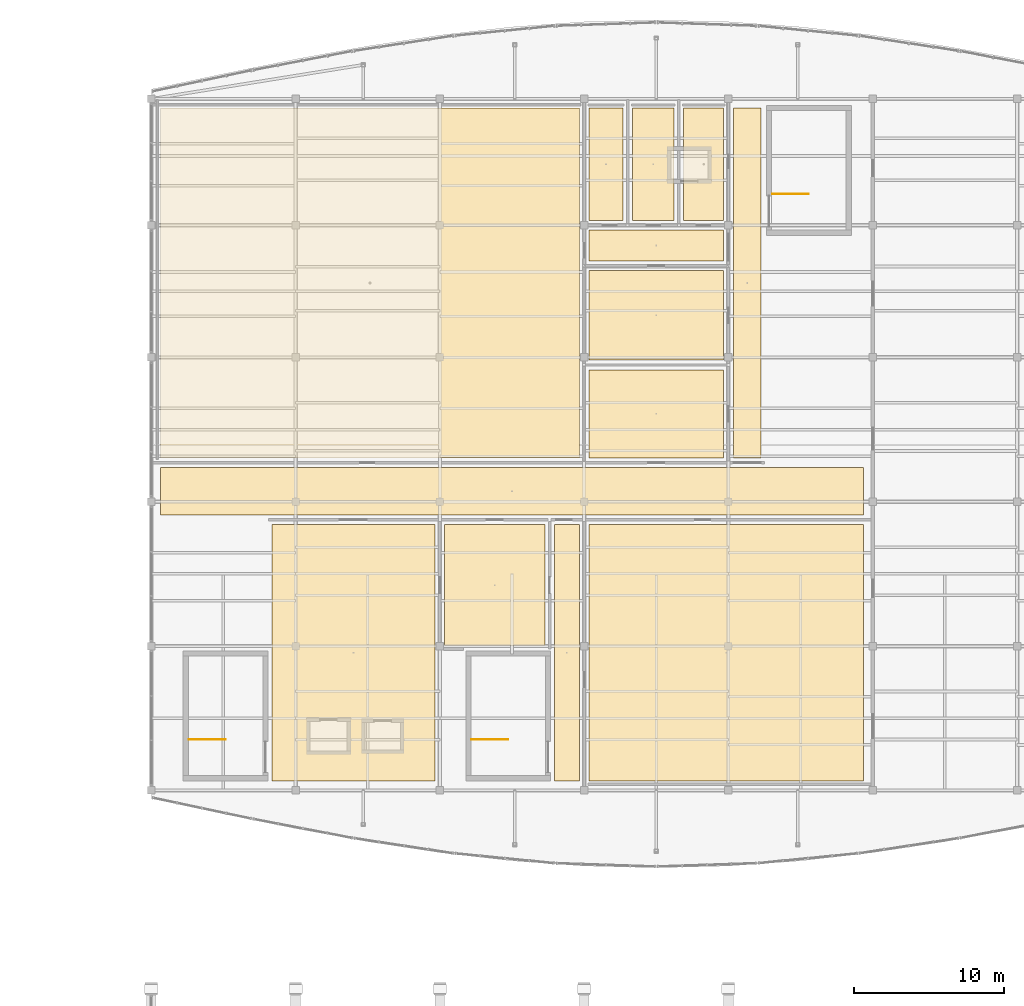
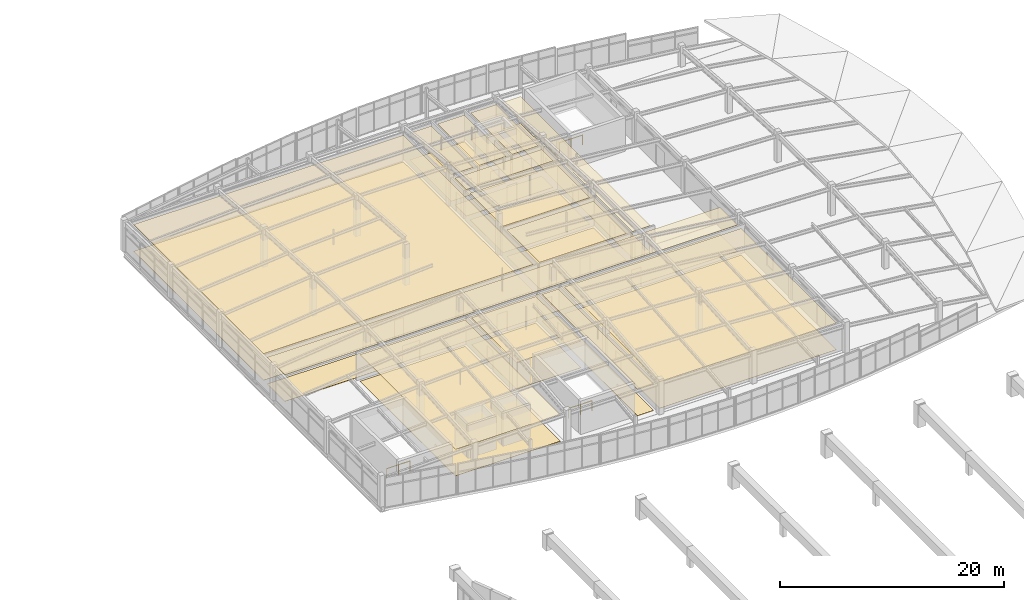
# One storey, part 65 of 65: 26 coverings, 3 railings.
"""IFC4 building model written with IfcOpenShell, lengths in metres."""

from ifc_helpers import new_model, si_unit, direction, frame, origin, origin_2d, place, context, subcontext, project, spatial, polyline, circle, outline, extrude, material, layer, layer_set, type_object, element, save


model = new_model("IFC4")

# Units and contexts
model_context = context("Model", 3, precision=1e-05, world=origin(), true_north=direction((0.0, 1.0)))
body_context = subcontext(model_context, "Body", "Model", "MODEL_VIEW")
ifc_project = project(units=[si_unit("LENGTHUNIT", "METRE"), si_unit("AREAUNIT", "SQUARE_METRE"), si_unit("VOLUMEUNIT", "CUBIC_METRE"), si_unit("PLANEANGLEUNIT", "RADIAN"), si_unit("MASSUNIT", "GRAM", prefix="KILO")], contexts=[model_context])

# Site, building, storey
site_placement = place(None, origin())
site = spatial("IfcSite", under=ifc_project, at=site_placement, CompositionType="ELEMENT")
building_placement = place(site_placement, origin())
building = spatial("IfcBuilding", under=site, at=building_placement, Name="Chalmorin Arch Market", CompositionType="ELEMENT")
storey_placement = place(building_placement, frame((0.0, 0.0, 14.10009765625)))
storey = spatial("IfcBuildingStorey", under=building, at=storey_placement, Name="L03", CompositionType="ELEMENT", Elevation=14.10009765625)

# Coverings
ifc_material_1 = material(Name="Mineral Fibre Acoustic Tile")
ifc_layer_1 = layer(ifc_material_1, 0.044921875)
ifc_layer_set_1 = layer_set([ifc_layer_1], Name="Mineral Fibre Acoustic Tile")
covering_type_1 = type_object("IfcCoveringType", Name="AcousticBaffleCeiling-45", PredefinedType="CEILING", material=ifc_layer_set_1)
covering_1_placement = place(storey_placement, frame((0.0, 0.0, 2.885009765625)))
element("IfcCovering", 1, at=covering_1_placement, inside=storey, type_object=covering_type_1, Name="CLG-01-251", PredefinedType="CEILING", context=body_context, shape_type="SweptSolid", body=[
    extrude(outline(polyline([(56.02001953125, 72.6201171875), (66.8798828125, 72.6201171875), (66.8798828125, 89.679931640625), (56.02001953125, 89.679931640625), (56.02001953125, 72.6201171875)])), origin(), (0.0, 0.0, 1.0), 0.044921875),
])
covering_2_placement = place(storey_placement, frame((0.0, 0.0, 2.885009765625)))
element("IfcCovering", 2, at=covering_2_placement, inside=storey, type_object=covering_type_1, Name="CLG-01-253", PredefinedType="CEILING", context=body_context, shape_type="SweptSolid", body=[
    extrude(outline(polyline([(74.820068359375, 72.6201171875), (76.47998046875, 72.6201171875), (76.47998046875, 89.679931640625), (74.820068359375, 89.679931640625), (74.820068359375, 72.6201171875)])), origin(), (0.0, 0.0, 1.0), 0.044921875),
])
covering_3_placement = place(storey_placement, frame((0.0, 0.0, 2.885009765625)))
element("IfcCovering", 3, at=covering_3_placement, inside=storey, type_object=covering_type_1, Name="CLG-01-257", PredefinedType="CEILING", context=body_context, shape_type="SweptSolid", body=[
    extrude(outline(polyline([(77.1201171875, 72.6201171875), (95.3798828125, 72.6201171875), (95.3798828125, 89.679931640625), (77.1201171875, 89.679931640625), (77.1201171875, 72.6201171875)])), origin(), (0.0, 0.0, 1.0), 0.044921875),
])
covering_4_placement = place(storey_placement, frame((0.0, 0.0, 2.885009765625)))
element("IfcCovering", 4, at=covering_4_placement, inside=storey, type_object=covering_type_1, Name="CLG-01-259", PredefinedType="CEILING", context=body_context, shape_type="SweptSolid", body=[
    extrude(outline(polyline([(48.6201171875, 90.320068359375), (95.3798828125, 90.320068359375), (95.3798828125, 93.47998046875), (48.6201171875, 93.47998046875), (48.6201171875, 90.320068359375)])), origin(), (0.0, 0.0, 1.0), 0.044921875),
])
covering_5_placement = place(storey_placement, frame((0.0, 0.0, 2.885009765625)))
element("IfcCovering", 5, at=covering_5_placement, inside=storey, type_object=covering_type_1, Name="CLG-01-261", PredefinedType="CEILING", context=body_context, shape_type="SweptSolid", body=[
    extrude(outline(polyline([(86.719970703125, 94.1201171875), (88.580078125, 94.1201171875), (88.580078125, 117.3798828125), (86.719970703125, 117.3798828125), (86.719970703125, 94.1201171875)])), origin(), (0.0, 0.0, 1.0), 0.044921875),
])
covering_6_placement = place(storey_placement, frame((0.0, 0.0, 2.885009765625)))
element("IfcCovering", 6, at=covering_6_placement, inside=storey, type_object=covering_type_1, Name="CLG-01-263", PredefinedType="CEILING", context=body_context, shape_type="SweptSolid", body=[
    extrude(outline(polyline([(48.6201171875, 94.1201171875), (76.47998046875, 94.1201171875), (76.47998046875, 117.3798828125), (48.6201171875, 117.3798828125), (48.6201171875, 94.1201171875)])), origin(), (0.0, 0.0, 1.0), 0.044921875),
])
covering_7_placement = place(storey_placement, frame((0.0, 0.0, 2.885009765625)))
element("IfcCovering", 7, at=covering_7_placement, inside=storey, type_object=covering_type_1, Name="CLG-01-265", PredefinedType="CEILING", context=body_context, shape_type="SweptSolid", body=[
    extrude(outline(polyline([(77.1201171875, 100.6201171875), (86.080078125, 100.6201171875), (86.080078125, 106.580078125), (77.1201171875, 106.580078125), (77.1201171875, 100.6201171875)])), origin(), (0.0, 0.0, 1.0), 0.044921875),
])
covering_8_placement = place(storey_placement, frame((0.0, 0.0, 2.885009765625)))
element("IfcCovering", 8, at=covering_8_placement, inside=storey, type_object=covering_type_1, Name="CLG-01-267", PredefinedType="CEILING", context=body_context, shape_type="SweptSolid", body=[
    extrude(outline(polyline([(77.1201171875, 107.219970703125), (86.080078125, 107.219970703125), (86.080078125, 109.280029296875), (77.1201171875, 109.280029296875), (77.1201171875, 107.219970703125)])), origin(), (0.0, 0.0, 1.0), 0.044921875),
])
covering_9_placement = place(storey_placement, frame((0.0, 0.0, 2.885009765625)))
element("IfcCovering", 9, at=covering_9_placement, inside=storey, type_object=covering_type_1, Name="CLG-01-275", PredefinedType="CEILING", context=body_context, shape_type="SweptSolid", body=[
    extrude(outline(polyline([(77.1201171875, 94.1201171875), (86.080078125, 94.1201171875), (86.080078125, 99.97998046875), (77.1201171875, 99.97998046875), (77.1201171875, 94.1201171875)])), origin(), (0.0, 0.0, 1.0), 0.044921875),
])
ifc_material_2 = material(Name="Powder-coated Aluminium Panel", Category="aluminium")
ifc_layer_2 = layer(ifc_material_2, 0.034912109375)
ifc_layer_set_2 = layer_set([ifc_layer_2], Name="Powder-coated Aluminium Panel")
covering_type_2 = type_object("IfcCoveringType", Name="HygienicWashableKitchenCeiling-35", PredefinedType="CEILING", material=ifc_layer_set_2)
covering_10_placement = place(storey_placement, frame((0.0, 0.0, 2.89501953125)))
element("IfcCovering", 10, at=covering_10_placement, inside=storey, type_object=covering_type_2, Name="CLG-02-255", PredefinedType="CEILING", context=body_context, shape_type="SweptSolid", body=[
    extrude(outline(polyline([(67.52001953125, 81.6201171875), (74.179931640625, 81.6201171875), (74.179931640625, 89.679931640625), (67.52001953125, 89.679931640625), (67.52001953125, 81.6201171875)])), origin(), (0.0, 0.0, 1.0), 0.034912109375),
])
ifc_material_3 = material(Name="Gypsum Board Partition")
ifc_layer_3 = layer(ifc_material_3, 0.030029296875)
ifc_layer_set_3 = layer_set([ifc_layer_3], Name="Gypsum Board Partition")
covering_type_3 = type_object("IfcCoveringType", Name="MoistureResistantGypsumCeiling-30", PredefinedType="CEILING", material=ifc_layer_set_3)
covering_11_placement = place(storey_placement, frame((0.0, 0.0, 2.89990234375)))
element("IfcCovering", 11, at=covering_11_placement, inside=storey, type_object=covering_type_3, Name="CLG-03-269", PredefinedType="CEILING", context=body_context, shape_type="SweptSolid", body=[
    extrude(outline(polyline([(77.1201171875, 109.919921875), (79.3798828125, 109.919921875), (79.3798828125, 117.3798828125), (77.1201171875, 117.3798828125), (77.1201171875, 109.919921875)])), origin(), (0.0, 0.0, 1.0), 0.030029296875),
])
covering_12_placement = place(storey_placement, frame((0.0, 0.0, 2.89990234375)))
element("IfcCovering", 12, at=covering_12_placement, inside=storey, type_object=covering_type_3, Name="CLG-03-271", PredefinedType="CEILING", context=body_context, shape_type="SweptSolid", body=[
    extrude(outline(polyline([(80.02001953125, 109.919921875), (82.780029296875, 109.919921875), (82.780029296875, 117.3798828125), (80.02001953125, 117.3798828125), (80.02001953125, 109.919921875)])), origin(), (0.0, 0.0, 1.0), 0.030029296875),
])
covering_13_placement = place(storey_placement, frame((0.0, 0.0, 2.89990234375)))
element("IfcCovering", 13, at=covering_13_placement, inside=storey, type_object=covering_type_3, Name="CLG-03-273", PredefinedType="CEILING", context=body_context, shape_type="SweptSolid", body=[
    extrude(outline(polyline([(83.419921875, 109.919921875), (86.080078125, 109.919921875), (86.080078125, 117.3798828125), (83.419921875, 117.3798828125), (83.419921875, 109.919921875)])), origin(), (0.0, 0.0, 1.0), 0.030029296875),
])
ifc_material_4 = material(Name="Ceramic Porcelain Tile")
ifc_layer_4 = layer(ifc_material_4, 0.01806640625)
ifc_layer_set_4 = layer_set([ifc_layer_4], Name="Ceramic Porcelain Tile")
covering_type_4 = type_object("IfcCoveringType", Name="PorcelainRestroomTileFloor-18", PredefinedType="FLOORING", material=ifc_layer_set_4)
covering_14_placement = place(storey_placement, origin())
element("IfcCovering", 14, at=covering_14_placement, inside=storey, type_object=covering_type_4, Name="FLR-03-268", PredefinedType="FLOORING", context=body_context, shape_type="SweptSolid", body=[
    extrude(outline(polyline([(77.1201171875, 109.919921875), (79.3798828125, 109.919921875), (79.3798828125, 117.3798828125), (77.1201171875, 117.3798828125), (77.1201171875, 109.919921875)])), origin(), (0.0, 0.0, 1.0), 0.017822265625),
])
covering_15_placement = place(storey_placement, origin())
element("IfcCovering", 15, at=covering_15_placement, inside=storey, type_object=covering_type_4, Name="FLR-03-270", PredefinedType="FLOORING", context=body_context, shape_type="SweptSolid", body=[
    extrude(outline(polyline([(80.02001953125, 109.919921875), (82.780029296875, 109.919921875), (82.780029296875, 117.3798828125), (80.02001953125, 117.3798828125), (80.02001953125, 109.919921875)])), origin(), (0.0, 0.0, 1.0), 0.017822265625),
])
covering_16_placement = place(storey_placement, origin())
element("IfcCovering", 16, at=covering_16_placement, inside=storey, type_object=covering_type_4, Name="FLR-03-272", PredefinedType="FLOORING", context=body_context, shape_type="SweptSolid", body=[
    extrude(outline(polyline([(83.419921875, 109.919921875), (86.080078125, 109.919921875), (86.080078125, 117.3798828125), (83.419921875, 117.3798828125), (83.419921875, 109.919921875)])), origin(), (0.0, 0.0, 1.0), 0.017822265625),
])

# Railings
ifc_material_5 = material(Name="Galvanised Steel", Category="steel")
ifc_layer_5 = layer(ifc_material_5, 0.054931640625)
ifc_layer_set_5 = layer_set([ifc_layer_5], Name="Galvanised Steel")
railing_type = type_object("IfcRailingType", Name="StairWellGuardrail-1100", PredefinedType="GUARDRAIL", material=ifc_layer_set_5)
for number, where, name in (
    (17, (50.52001953125, 75.3798828125, 0.0), "SG-01-045"),
    (18, (89.320068359375, 111.679931640625, 0.0), "SG-01-062"),
    (19, (69.320068359375, 75.3798828125, 0.0), "SG-01-079"),
):
    element("IfcRailing", number, at=place(storey_placement, frame(where)), inside=storey, type_object=railing_type, Name=name, PredefinedType="GUARDRAIL", context=body_context, shape_type="SweptSolid", body=[
        extrude(circle(Radius=0.02392578125, at=origin_2d()), frame((0.0, 0.0, 1.076171875), z_axis=(1.0, 0.0, 0.0), x_axis=(0.0, 1.0, 0.0)), (0.0, 0.0, 1.0), 2.39990234375),
        extrude(circle(Radius=0.02099609375, at=origin_2d()), origin(), (0.0, 0.0, 1.0), 1.052001953125),
        extrude(circle(Radius=0.02099609375, at=origin_2d()), frame((1.199951171875, 0.0, 0.0)), (0.0, 0.0, 1.0), 1.052001953125),
        extrude(circle(Radius=0.02099609375, at=origin_2d()), frame((2.39990234375, 0.0, 0.0)), (0.0, 0.0, 1.0), 1.052001953125),
    ])

# Coverings
ifc_material_6 = material(Name="Polished Terrazzo")
ifc_layer_6 = layer(ifc_material_6, 0.02490234375)
ifc_layer_set_6 = layer_set([ifc_layer_6], Name="Polished Terrazzo")
covering_type_5 = type_object("IfcCoveringType", Name="TerrazzoMarketFloorFinish-25", PredefinedType="FLOORING", material=ifc_layer_set_6)
covering_17_placement = place(storey_placement, origin())
element("IfcCovering", 20, at=covering_17_placement, inside=storey, type_object=covering_type_5, Name="FLR-01-250", PredefinedType="FLOORING", context=body_context, shape_type="SweptSolid", body=[
    extrude(outline(polyline([(56.02001953125, 72.6201171875), (66.8798828125, 72.6201171875), (66.8798828125, 89.679931640625), (56.02001953125, 89.679931640625), (56.02001953125, 72.6201171875)])), origin(), (0.0, 0.0, 1.0), 0.02490234375),
])
covering_18_placement = place(storey_placement, origin())
element("IfcCovering", 21, at=covering_18_placement, inside=storey, type_object=covering_type_5, Name="FLR-01-252", PredefinedType="FLOORING", context=body_context, shape_type="SweptSolid", body=[
    extrude(outline(polyline([(74.820068359375, 72.6201171875), (76.47998046875, 72.6201171875), (76.47998046875, 89.679931640625), (74.820068359375, 89.679931640625), (74.820068359375, 72.6201171875)])), origin(), (0.0, 0.0, 1.0), 0.02490234375),
])
covering_19_placement = place(storey_placement, origin())
element("IfcCovering", 22, at=covering_19_placement, inside=storey, type_object=covering_type_5, Name="FLR-01-254", PredefinedType="FLOORING", context=body_context, shape_type="SweptSolid", body=[
    extrude(outline(polyline([(67.52001953125, 81.6201171875), (74.179931640625, 81.6201171875), (74.179931640625, 89.679931640625), (67.52001953125, 89.679931640625), (67.52001953125, 81.6201171875)])), origin(), (0.0, 0.0, 1.0), 0.02490234375),
])
covering_20_placement = place(storey_placement, origin())
element("IfcCovering", 23, at=covering_20_placement, inside=storey, type_object=covering_type_5, Name="FLR-01-256", PredefinedType="FLOORING", context=body_context, shape_type="SweptSolid", body=[
    extrude(outline(polyline([(77.1201171875, 72.6201171875), (95.3798828125, 72.6201171875), (95.3798828125, 89.679931640625), (77.1201171875, 89.679931640625), (77.1201171875, 72.6201171875)])), origin(), (0.0, 0.0, 1.0), 0.02490234375),
])
covering_21_placement = place(storey_placement, origin())
element("IfcCovering", 24, at=covering_21_placement, inside=storey, type_object=covering_type_5, Name="FLR-01-258", PredefinedType="FLOORING", context=body_context, shape_type="SweptSolid", body=[
    extrude(outline(polyline([(48.6201171875, 90.320068359375), (95.3798828125, 90.320068359375), (95.3798828125, 93.47998046875), (48.6201171875, 93.47998046875), (48.6201171875, 90.320068359375)])), origin(), (0.0, 0.0, 1.0), 0.02490234375),
])
covering_22_placement = place(storey_placement, origin())
element("IfcCovering", 25, at=covering_22_placement, inside=storey, type_object=covering_type_5, Name="FLR-01-260", PredefinedType="FLOORING", context=body_context, shape_type="SweptSolid", body=[
    extrude(outline(polyline([(86.719970703125, 94.1201171875), (88.580078125, 94.1201171875), (88.580078125, 117.3798828125), (86.719970703125, 117.3798828125), (86.719970703125, 94.1201171875)])), origin(), (0.0, 0.0, 1.0), 0.02490234375),
])
covering_23_placement = place(storey_placement, origin())
element("IfcCovering", 26, at=covering_23_placement, inside=storey, type_object=covering_type_5, Name="FLR-01-262", PredefinedType="FLOORING", context=body_context, shape_type="SweptSolid", body=[
    extrude(outline(polyline([(48.6201171875, 94.1201171875), (76.47998046875, 94.1201171875), (76.47998046875, 117.3798828125), (48.6201171875, 117.3798828125), (48.6201171875, 94.1201171875)])), origin(), (0.0, 0.0, 1.0), 0.02490234375),
])
covering_24_placement = place(storey_placement, origin())
element("IfcCovering", 27, at=covering_24_placement, inside=storey, type_object=covering_type_5, Name="FLR-01-264", PredefinedType="FLOORING", context=body_context, shape_type="SweptSolid", body=[
    extrude(outline(polyline([(77.1201171875, 100.6201171875), (86.080078125, 100.6201171875), (86.080078125, 106.580078125), (77.1201171875, 106.580078125), (77.1201171875, 100.6201171875)])), origin(), (0.0, 0.0, 1.0), 0.02490234375),
])
covering_25_placement = place(storey_placement, origin())
element("IfcCovering", 28, at=covering_25_placement, inside=storey, type_object=covering_type_5, Name="FLR-01-266", PredefinedType="FLOORING", context=body_context, shape_type="SweptSolid", body=[
    extrude(outline(polyline([(77.1201171875, 107.219970703125), (86.080078125, 107.219970703125), (86.080078125, 109.280029296875), (77.1201171875, 109.280029296875), (77.1201171875, 107.219970703125)])), origin(), (0.0, 0.0, 1.0), 0.02490234375),
])
covering_26_placement = place(storey_placement, origin())
element("IfcCovering", 29, at=covering_26_placement, inside=storey, type_object=covering_type_5, Name="FLR-01-274", PredefinedType="FLOORING", context=body_context, shape_type="SweptSolid", body=[
    extrude(outline(polyline([(77.1201171875, 94.1201171875), (86.080078125, 94.1201171875), (86.080078125, 99.97998046875), (77.1201171875, 99.97998046875), (77.1201171875, 94.1201171875)])), origin(), (0.0, 0.0, 1.0), 0.02490234375),
])

save(model, "model.ifc")
